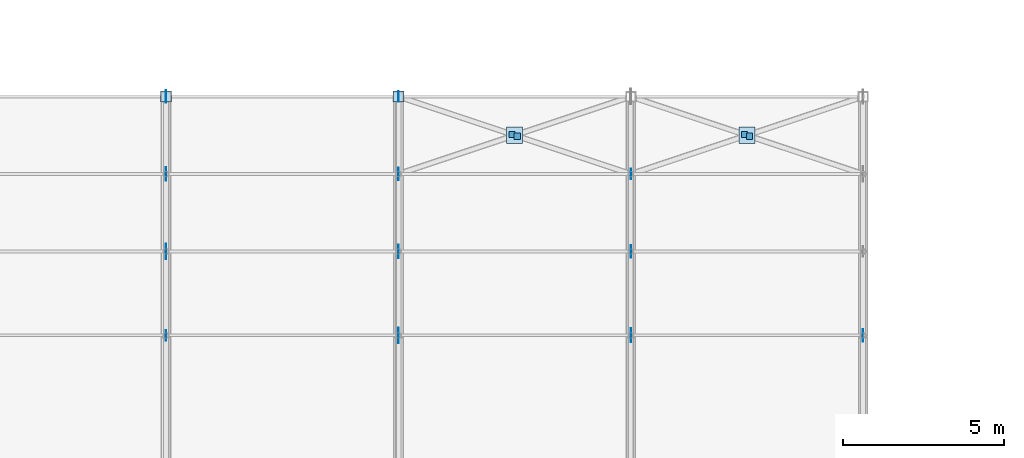
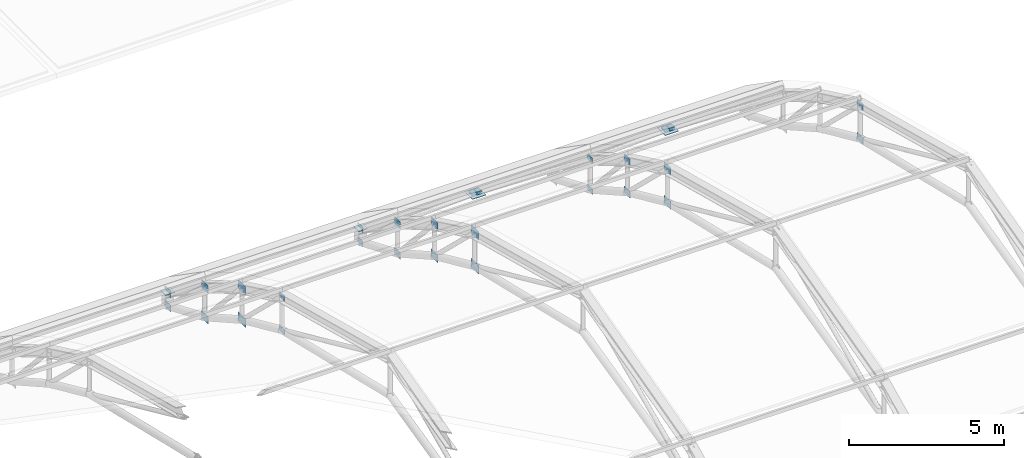
# One storey, part 55 of 63: 32 plates.
"""IFC4 building model written with IfcOpenShell, lengths in metres."""

from ifc_helpers import new_model, si_unit, direction, frame, origin, origin_2d, place, context, subcontext, project, spatial, rectangle, extrude, material, layer, layer_set, type_object, element, save


model = new_model("IFC4")

# Units and contexts
model_context = context("Model", 3, precision=1e-05, world=origin(), true_north=direction((0.0, 1.0)))
body_context = subcontext(model_context, "Body", "Model", "MODEL_VIEW")
ifc_project = project(units=[si_unit("LENGTHUNIT", "METRE"), si_unit("AREAUNIT", "SQUARE_METRE"), si_unit("VOLUMEUNIT", "CUBIC_METRE"), si_unit("PLANEANGLEUNIT", "RADIAN"), si_unit("MASSUNIT", "GRAM", prefix="KILO")], contexts=[model_context])

# Site, building, storey
site_placement = place(None, origin())
site = spatial("IfcSite", under=ifc_project, at=site_placement, CompositionType="ELEMENT")
building_placement = place(site_placement, origin())
building = spatial("IfcBuilding", under=site, at=building_placement, Name="Solvadek Multi-Sports Hall", CompositionType="ELEMENT")
storey_placement = place(building_placement, frame((0.0, 0.0, 19.199951171875)))
storey = spatial("IfcBuildingStorey", under=building, at=storey_placement, Name="RF", CompositionType="ELEMENT", Elevation=19.199951171875)

# Plates
ifc_material = material(Name="Steel E350 (350 MPa)", Category="steel")
ifc_layer_1 = layer(ifc_material, 0.01611328125, Name="Steel E350 (350 MPa)")
ifc_layer_set_1 = layer_set([ifc_layer_1], Name="Steel E350 (350 MPa)")
plate_type_1 = type_object("IfcPlateType", Name="STR-PLT-CAP16", PredefinedType="USERDEFINED", material=ifc_layer_set_1)
for number, where, z_axis, x_axis, name in (
    (1, (46.718505859375, 76.8271484375, -3.541015625), (0.0, 0.0, 1.0), (1.0, 0.0, 0.0), "V4 Half-Brace End Cap #46"),
    (2, (46.881591796875, 76.772705078125, -3.50341796875), (0.0, 0.0, 1.0), (1.0, 0.0, 0.0), "V4 Half-Brace End Cap #47"),
    (3, (53.91845703125, 76.8271484375, -3.541015625), (0.0, 0.0, 1.0), (1.0, 0.0, 0.0), "V4 Half-Brace End Cap #59"),
    (4, (54.08154296875, 76.772705078125, -3.50341796875), (0.0, 0.0, 1.0), (1.0, 0.0, 0.0), "V4 Half-Brace End Cap #60"),
):
    element("IfcPlate", number, at=place(storey_placement, frame(where, z_axis=z_axis, x_axis=x_axis)), inside=storey, type_object=plate_type_1, Name=name, ObjectType="BASE_PLATE", PredefinedType="USERDEFINED", context=body_context, shape_type="SweptSolid", body=[
        extrude(rectangle(XDim=0.18994140625, YDim=0.18994140625, at=origin_2d()), origin(), (0.0, 0.0, 1.0), 0.2099609375),
    ])
ifc_layer_2 = layer(ifc_material, 0.02001953125, Name="Steel E350 (350 MPa)")
ifc_layer_set_2 = layer_set([ifc_layer_2], Name="Steel E350 (350 MPa)")
plate_type_2 = type_object("IfcPlateType", Name="STR-PLT-CAP340", PredefinedType="USERDEFINED", material=ifc_layer_set_2)
for number, where, z_axis, x_axis, name in (
    (5, (36.0, 78.0, -4.25), (0.0, 0.0, 1.0), (1.0, 0.0, 0.0), "v4 Bearing Post Cap #3.8"),
    (6, (43.199951171875, 78.0, -4.25), (0.0, 0.0, 1.0), (1.0, 0.0, 0.0), "v4 Bearing Post Cap #4.8"),
):
    element("IfcPlate", number, at=place(storey_placement, frame(where, z_axis=z_axis, x_axis=x_axis)), inside=storey, type_object=plate_type_2, Name=name, ObjectType="BASE_PLATE", PredefinedType="USERDEFINED", context=body_context, shape_type="SweptSolid", body=[
        extrude(rectangle(XDim=0.340087890625, YDim=0.340087890625, at=origin_2d()), origin(), (0.0, 0.0, 1.0), 0.02001953125),
    ])
ifc_layer_3 = layer(ifc_material, 0.02001953125, Name="Steel E350 (350 MPa)")
ifc_layer_set_3 = layer_set([ifc_layer_3], Name="Steel E350 (350 MPa)")
plate_type_3 = type_object("IfcPlateType", Name="STR-PLT-GP20", PredefinedType="USERDEFINED", material=ifc_layer_set_3)
for number, where, z_axis, x_axis, name in (
    (7, (46.800048828125, 76.800048828125, -3.42724609375), (0.0, 0.0, 1.0), (1.0, 0.0, 0.0), "V4 Roof X-Brace Crossing Gusset #262"),
    (8, (54.0, 76.800048828125, -3.42724609375), (0.0, 0.0, 1.0), (1.0, 0.0, 0.0), "V4 Roof X-Brace Crossing Gusset #264"),
):
    element("IfcPlate", number, at=place(storey_placement, frame(where, z_axis=z_axis, x_axis=x_axis)), inside=storey, type_object=plate_type_3, Name=name, ObjectType="GUSSET_PLATE", PredefinedType="USERDEFINED", context=body_context, shape_type="SweptSolid", body=[
        extrude(rectangle(XDim=0.5, YDim=0.5, at=origin_2d()), origin(), (0.0, 0.0, 1.0), 0.02001953125),
    ])
ifc_layer_4 = layer(ifc_material, 0.013916015625, Name="Steel E350 (350 MPa)")
ifc_layer_set_4 = layer_set([ifc_layer_4], Name="Steel E350 (350 MPa)")
plate_type_4 = type_object("IfcPlateType", Name="STR-PLT-GUS330", PredefinedType="USERDEFINED", material=ifc_layer_set_4)
for number, where, z_axis, x_axis, name in (
    (9, (36.0, 70.60009765625, -0.04736328125), (0.0, 0.0, 1.0), (0.0, 1.0, 0.0), "V4 Truss Top Gusset Plate #197"),
    (10, (36.0, 70.60009765625, -1.376953125), (0.0, 0.0, 1.0), (0.0, 1.0, 0.0), "V4 Truss Bottom Gusset Plate #198"),
    (11, (43.199951171875, 78.0, -4.35986328125), (0.0, 0.0, 1.0), (0.0, 1.0, 0.0), "V4 Truss Top Gusset Plate #221"),
    (12, (43.199951171875, 78.0, -4.91015625), (0.0, 0.0, 1.0), (0.0, 1.0, 0.0), "V4 Truss Bottom Gusset Plate #222"),
    (13, (50.39990234375, 75.60009765625, -2.6943359375), (0.0, 0.0, 1.0), (0.0, 1.0, 0.0), "V4 Truss Top Gusset Plate #237"),
    (14, (50.39990234375, 75.60009765625, -3.90283203125), (0.0, 0.0, 1.0), (0.0, 1.0, 0.0), "V4 Truss Bottom Gusset Plate #238"),
):
    element("IfcPlate", number, at=place(storey_placement, frame(where, z_axis=z_axis, x_axis=x_axis)), inside=storey, type_object=plate_type_4, Name=name, ObjectType="GUSSET_PLATE", PredefinedType="USERDEFINED", context=body_context, shape_type="SweptSolid", body=[
        extrude(rectangle(XDim=0.330078125, YDim=0.013916015625, at=origin_2d()), origin(), (0.0, 0.0, 1.0), 0.219970703125),
    ])
ifc_layer_5 = layer(ifc_material, 0.01611328125, Name="Steel E350 (350 MPa)")
ifc_layer_set_5 = layer_set([ifc_layer_5], Name="Steel E350 (350 MPa)")
plate_type_5 = type_object("IfcPlateType", Name="STR-PLT-GUS380", PredefinedType="USERDEFINED", material=ifc_layer_set_5)
for number, where, z_axis, x_axis, name in (
    (15, (36.0, 78.0, -4.3798828125), (0.0, 0.0, 1.0), (0.0, 1.0, 0.0), "V4 Truss Top Gusset Plate #203"),
    (16, (36.0, 78.0, -4.93017578125), (0.0, 0.0, 1.0), (0.0, 1.0, 0.0), "V4 Truss Bottom Gusset Plate #204"),
    (17, (43.199951171875, 75.60009765625, -2.71435546875), (0.0, 0.0, 1.0), (0.0, 1.0, 0.0), "V4 Truss Top Gusset Plate #219"),
    (18, (43.199951171875, 75.60009765625, -3.9228515625), (0.0, 0.0, 1.0), (0.0, 1.0, 0.0), "V4 Truss Bottom Gusset Plate #220"),
    (19, (50.39990234375, 73.199951171875, -1.30517578125), (0.0, 0.0, 1.0), (0.0, 1.0, 0.0), "V4 Truss Top Gusset Plate #235"),
    (20, (50.39990234375, 73.199951171875, -2.57177734375), (0.0, 0.0, 1.0), (0.0, 1.0, 0.0), "V4 Truss Bottom Gusset Plate #236"),
    (21, (57.60009765625, 70.60009765625, -0.0673828125), (0.0, 0.0, 1.0), (0.0, 1.0, 0.0), "V4 Truss Top Gusset Plate #251"),
    (22, (57.60009765625, 70.60009765625, -1.39697265625), (0.0, 0.0, 1.0), (0.0, 1.0, 0.0), "V4 Truss Bottom Gusset Plate #252"),
):
    element("IfcPlate", number, at=place(storey_placement, frame(where, z_axis=z_axis, x_axis=x_axis)), inside=storey, type_object=plate_type_5, Name=name, ObjectType="GUSSET_PLATE", PredefinedType="USERDEFINED", context=body_context, shape_type="SweptSolid", body=[
        extrude(rectangle(XDim=0.3798828125, YDim=0.01611328125, at=origin_2d()), origin(), (0.0, 0.0, 1.0), 0.260009765625),
    ])
ifc_layer_6 = layer(ifc_material, 0.01806640625, Name="Steel E350 (350 MPa)")
ifc_layer_set_6 = layer_set([ifc_layer_6], Name="Steel E350 (350 MPa)")
plate_type_6 = type_object("IfcPlateType", Name="STR-PLT-GUS430", PredefinedType="USERDEFINED", material=ifc_layer_set_6)
for number, where, z_axis, x_axis, name in (
    (23, (36.0, 75.60009765625, -2.734375), (0.0, 0.0, 1.0), (0.0, 1.0, 0.0), "V4 Truss Top Gusset Plate #201"),
    (24, (36.0, 75.60009765625, -3.94287109375), (0.0, 0.0, 1.0), (0.0, 1.0, 0.0), "V4 Truss Bottom Gusset Plate #202"),
    (25, (43.199951171875, 73.199951171875, -1.3251953125), (0.0, 0.0, 1.0), (0.0, 1.0, 0.0), "V4 Truss Top Gusset Plate #217"),
    (26, (43.199951171875, 73.199951171875, -2.591796875), (0.0, 0.0, 1.0), (0.0, 1.0, 0.0), "V4 Truss Bottom Gusset Plate #218"),
    (27, (50.39990234375, 70.60009765625, -0.08740234375), (0.0, 0.0, 1.0), (0.0, 1.0, 0.0), "V4 Truss Top Gusset Plate #233"),
    (28, (50.39990234375, 70.60009765625, -1.4169921875), (0.0, 0.0, 1.0), (0.0, 1.0, 0.0), "V4 Truss Bottom Gusset Plate #234"),
):
    element("IfcPlate", number, at=place(storey_placement, frame(where, z_axis=z_axis, x_axis=x_axis)), inside=storey, type_object=plate_type_6, Name=name, ObjectType="GUSSET_PLATE", PredefinedType="USERDEFINED", context=body_context, shape_type="SweptSolid", body=[
        extrude(rectangle(XDim=0.429931640625, YDim=0.01806640625, at=origin_2d()), origin(), (0.0, 0.0, 1.0), 0.300048828125),
    ])
ifc_layer_7 = layer(ifc_material, 0.02001953125, Name="Steel E350 (350 MPa)")
ifc_layer_set_7 = layer_set([ifc_layer_7], Name="Steel E350 (350 MPa)")
plate_type_7 = type_object("IfcPlateType", Name="STR-PLT-GUS480", PredefinedType="USERDEFINED", material=ifc_layer_set_7)
for number, where, z_axis, x_axis, name in (
    (29, (36.0, 73.199951171875, -1.34521484375), (0.0, 0.0, 1.0), (0.0, 1.0, 0.0), "V4 Truss Top Gusset Plate #199"),
    (30, (36.0, 73.199951171875, -2.61181640625), (0.0, 0.0, 1.0), (0.0, 1.0, 0.0), "V4 Truss Bottom Gusset Plate #200"),
    (31, (43.199951171875, 70.60009765625, -0.107421875), (0.0, 0.0, 1.0), (0.0, 1.0, 0.0), "V4 Truss Top Gusset Plate #215"),
    (32, (43.199951171875, 70.60009765625, -1.43701171875), (0.0, 0.0, 1.0), (0.0, 1.0, 0.0), "V4 Truss Bottom Gusset Plate #216"),
):
    element("IfcPlate", number, at=place(storey_placement, frame(where, z_axis=z_axis, x_axis=x_axis)), inside=storey, type_object=plate_type_7, Name=name, ObjectType="GUSSET_PLATE", PredefinedType="USERDEFINED", context=body_context, shape_type="SweptSolid", body=[
        extrude(rectangle(XDim=0.47998046875, YDim=0.02001953125, at=origin_2d()), origin(), (0.0, 0.0, 1.0), 0.340087890625),
    ])

save(model, "model.ifc")
